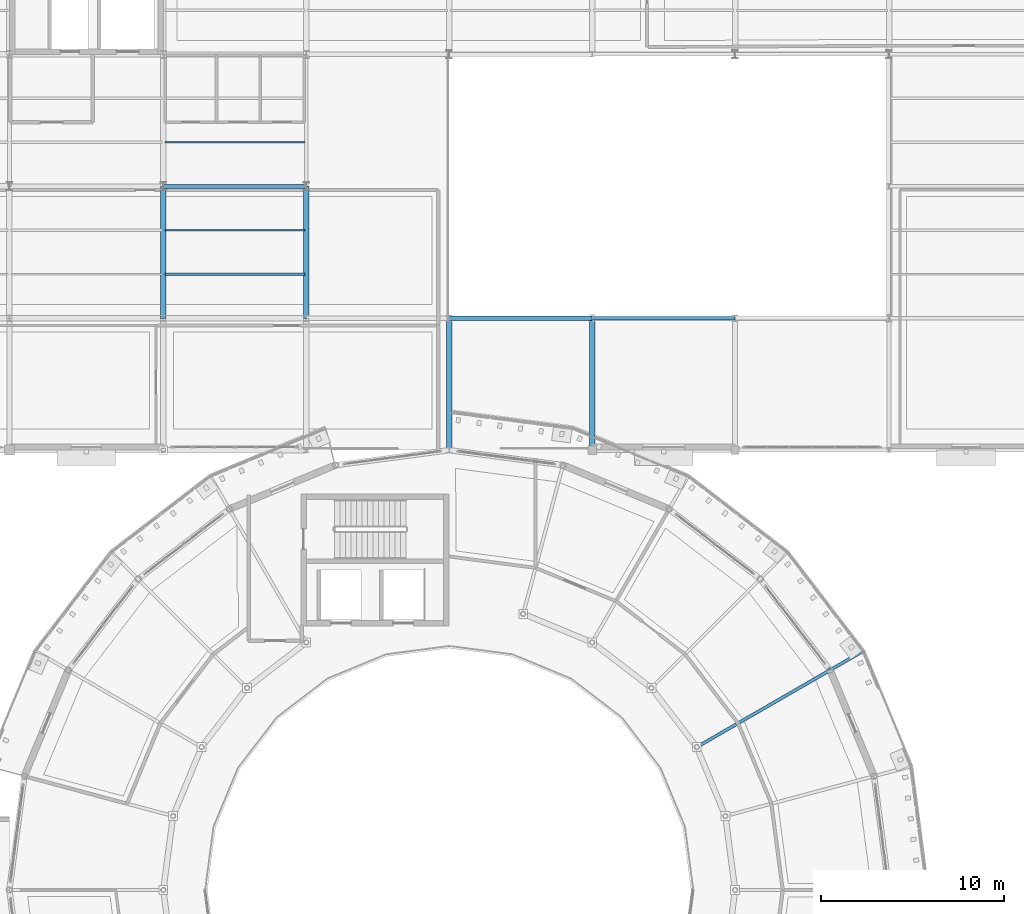
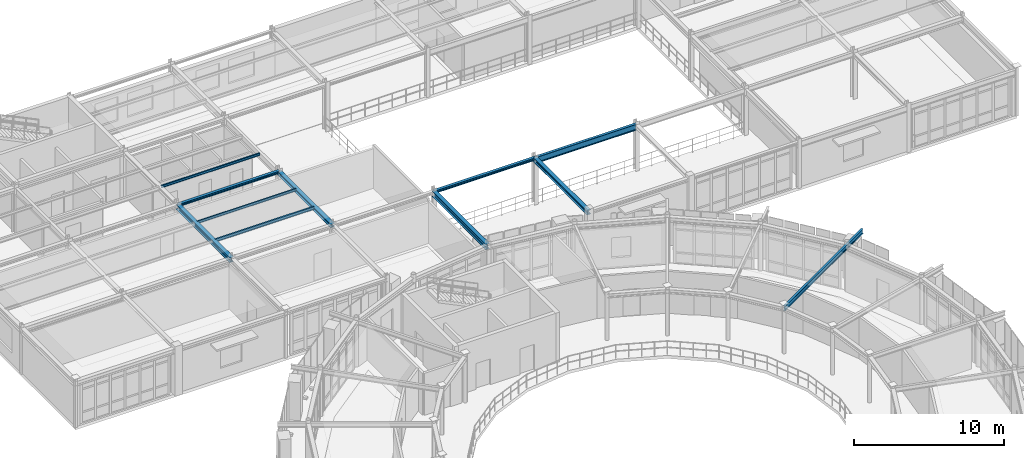
# One storey, part 36 of 70: 11 beams.
"""IFC4 building model written with IfcOpenShell, lengths in metres."""

from ifc_helpers import new_model, si_unit, derived_unit, direction, frame, origin, origin_2d, place, context, subcontext, project, spatial, i_section, extrude, material, material_profile, profile_set, type_object, element, save


model = new_model("IFC4")

# Units and contexts
model_context = context("Model", 3, precision=1e-05, world=origin(), true_north=direction((0.0, 1.0)))
body_context = subcontext(model_context, "Body", "Model", "MODEL_VIEW")
ifc_project = project(units=[si_unit("LENGTHUNIT", "METRE"), si_unit("AREAUNIT", "SQUARE_METRE"), si_unit("VOLUMEUNIT", "CUBIC_METRE"), si_unit("PLANEANGLEUNIT", "RADIAN"), si_unit("MASSUNIT", "GRAM", prefix="KILO"), derived_unit("THERMALTRANSMITTANCEUNIT", [(si_unit("POWERUNIT", "WATT"), 1), (si_unit("AREAUNIT", "SQUARE_METRE"), -1), (si_unit("THERMODYNAMICTEMPERATUREUNIT", "KELVIN"), -1)])], contexts=[model_context])

# Site, building, storey
site_placement = place(None, origin())
site = spatial("IfcSite", under=ifc_project, at=site_placement, CompositionType="ELEMENT")
building_placement = place(site_placement, origin())
building = spatial("IfcBuilding", under=site, at=building_placement, Name="Yasenodar Specialist Clinic", CompositionType="ELEMENT")
storey_placement = place(building_placement, frame((0.0, 0.0, 13.199951171875)))
storey = spatial("IfcBuildingStorey", under=building, at=storey_placement, Name="L03", CompositionType="ELEMENT", Elevation=13.199951171875)

# Beams
ifc_material = material(Name="Steel S355", Category="steel")
ifc_material_profile_1 = material_profile(ifc_material, i_section(OverallWidth=0.219970703125, OverallDepth=0.2099609375, WebThickness=0.007080078125, FlangeThickness=0.010986328125, FilletRadius=0.01806640625, at=origin_2d()), Name="HEA 220")
ifc_profile_set_1 = profile_set([ifc_material_profile_1], Name="Steel S355")
beam_type_1 = type_object("IfcBeamType", Name="BM-HEA220", PredefinedType="BEAM", material=ifc_profile_set_1)
for number, where, z_axis, x_axis, name in (
    (1, (81.0, 90.0, 3.68505859375), (1.0, 0.0, 0.0), (0.0, 1.0, 0.0), "L03 Primary E-W Girder"),
    (2, (65.39990234375, 97.199951171875, 3.695068359375), (1.0, 0.0, 0.0), (0.0, 1.0, 0.0), "L03 Primary E-W Girder"),
):
    element("IfcBeam", number, at=place(storey_placement, frame(where, z_axis=z_axis, x_axis=x_axis)), inside=storey, type_object=beam_type_1, Name=name, PredefinedType="BEAM", context=body_context, shape_type="SweptSolid", body=[
        extrude(i_section(OverallWidth=0.219970703125, OverallDepth=0.2099609375, WebThickness=0.007080078125, FlangeThickness=0.010986328125, FilletRadius=0.01806640625, at=origin_2d()), origin(), (0.0, 0.0, 1.0), 7.800048828125),
    ])
ifc_material_profile_2 = material_profile(ifc_material, i_section(OverallWidth=0.300048828125, OverallDepth=0.2900390625, WebThickness=0.008544921875, FlangeThickness=0.013916015625, FilletRadius=0.027099609375, at=origin_2d()), Name="HEA 300")
ifc_profile_set_2 = profile_set([ifc_material_profile_2], Name="Steel S355")
beam_type_2 = type_object("IfcBeamType", Name="BM-HEA300", PredefinedType="BEAM", material=ifc_profile_set_2)
beam_1_placement = place(storey_placement, frame((73.199951171875, 90.0, 3.64501953125), z_axis=(0.0, 1.0, 0.0), x_axis=(-1.0, 0.0, 0.0)))
element("IfcBeam", 3, at=beam_1_placement, inside=storey, type_object=beam_type_2, Name="L03 Primary N-S Girder", PredefinedType="BEAM", context=body_context, shape_type="SweptSolid", body=[
    extrude(i_section(OverallWidth=0.300048828125, OverallDepth=0.2900390625, WebThickness=0.008544921875, FlangeThickness=0.013916015625, FilletRadius=0.027099609375, at=origin_2d()), origin(), (0.0, 0.0, 1.0), 7.199951171875),
])
ifc_material_profile_3 = material_profile(ifc_material, i_section(OverallWidth=0.300048828125, OverallDepth=0.340087890625, WebThickness=0.011962890625, FlangeThickness=0.021484375, FilletRadius=0.027099609375, at=origin_2d()), Name="HEB 340")
ifc_profile_set_3 = profile_set([ifc_material_profile_3], Name="Steel S355")
beam_type_3 = type_object("IfcBeamType", Name="BM-HEB340", PredefinedType="BEAM", material=ifc_profile_set_3)
beam_2_placement = place(storey_placement, frame((88.800048828125, 82.800048828125, 3.6201171875), z_axis=(0.0, 1.0, 0.0), x_axis=(-1.0, 0.0, 0.0)))
element("IfcBeam", 4, at=beam_2_placement, inside=storey, type_object=beam_type_3, Name="L03 Primary N-S Girder", PredefinedType="BEAM", context=body_context, shape_type="SweptSolid", body=[
    extrude(i_section(OverallWidth=0.300048828125, OverallDepth=0.340087890625, WebThickness=0.011962890625, FlangeThickness=0.021484375, FilletRadius=0.027099609375, at=origin_2d()), origin(), (0.0, 0.0, 1.0), 7.199951171875),
])
ifc_material_profile_4 = material_profile(ifc_material, i_section(OverallWidth=0.300048828125, OverallDepth=0.39990234375, WebThickness=0.013427734375, FlangeThickness=0.02392578125, FilletRadius=0.027099609375, at=origin_2d()), Name="HEB 400")
ifc_profile_set_4 = profile_set([ifc_material_profile_4], Name="Steel S355")
beam_type_4 = type_object("IfcBeamType", Name="BM-HEB400", PredefinedType="BEAM", material=ifc_profile_set_4)
beam_3_placement = place(storey_placement, frame((65.39990234375, 90.0, 3.590087890625), z_axis=(0.0, 1.0, 0.0), x_axis=(-1.0, 0.0, 0.0)))
element("IfcBeam", 5, at=beam_3_placement, inside=storey, type_object=beam_type_4, Name="L03 Primary N-S Girder", PredefinedType="BEAM", context=body_context, shape_type="SweptSolid", body=[
    extrude(i_section(OverallWidth=0.300048828125, OverallDepth=0.39990234375, WebThickness=0.013427734375, FlangeThickness=0.02392578125, FilletRadius=0.027099609375, at=origin_2d()), origin(), (0.0, 0.0, 1.0), 7.199951171875),
])
ifc_material_profile_5 = material_profile(ifc_material, i_section(OverallWidth=0.300048828125, OverallDepth=0.449951171875, WebThickness=0.013916015625, FlangeThickness=0.02587890625, FilletRadius=0.027099609375, at=origin_2d()), Name="HEB 450")
ifc_profile_set_5 = profile_set([ifc_material_profile_5], Name="Steel S355")
beam_type_5 = type_object("IfcBeamType", Name="BM-HEB450", PredefinedType="BEAM", material=ifc_profile_set_5)
beam_4_placement = place(storey_placement, frame((81.0, 82.800048828125, 3.56494140625), z_axis=(0.0, 1.0, 0.0), x_axis=(-1.0, 0.0, 0.0)))
element("IfcBeam", 6, at=beam_4_placement, inside=storey, type_object=beam_type_5, Name="L03 Primary N-S Girder", PredefinedType="BEAM", context=body_context, shape_type="SweptSolid", body=[
    extrude(i_section(OverallWidth=0.300048828125, OverallDepth=0.449951171875, WebThickness=0.013916015625, FlangeThickness=0.02587890625, FilletRadius=0.027099609375, at=origin_2d()), origin(), (0.0, 0.0, 1.0), 7.199951171875),
])
ifc_material_profile_6 = material_profile(ifc_material, i_section(OverallWidth=0.169921875, OverallDepth=0.360107421875, WebThickness=0.008056640625, FlangeThickness=0.0126953125, FilletRadius=0.01806640625, at=origin_2d()), Name="IPE 360")
ifc_profile_set_6 = profile_set([ifc_material_profile_6], Name="Steel S355")
beam_type_6 = type_object("IfcBeamType", Name="BM-IPE360", PredefinedType="BEAM", material=ifc_profile_set_6)
beam_5_placement = place(storey_placement, frame((94.510009765625, 66.60009765625, 3.6201171875), z_axis=(0.866033467715, 0.499986032603, 0.0), x_axis=(-0.499986032603, 0.866033467715, 0.0)))
element("IfcBeam", 7, at=beam_5_placement, inside=storey, type_object=beam_type_6, Name="L03 Drum V1 Radial Back-Spanned Cantilever Beam", PredefinedType="BEAM", context=body_context, shape_type="SweptSolid", body=[
    extrude(i_section(OverallWidth=0.169921875, OverallDepth=0.360107421875, WebThickness=0.008056640625, FlangeThickness=0.0126953125, FilletRadius=0.01806640625, at=origin_2d()), origin(), (0.0, 0.0, 1.0), 10.449951171875),
])
ifc_material_profile_7 = material_profile(ifc_material, i_section(OverallWidth=0.199951171875, OverallDepth=0.5, WebThickness=0.01025390625, FlangeThickness=0.01611328125, FilletRadius=0.02099609375, at=origin_2d()), Name="IPE 500")
ifc_profile_set_7 = profile_set([ifc_material_profile_7], Name="Steel S355")
beam_type_7 = type_object("IfcBeamType", Name="BM-IPE500", PredefinedType="BEAM", material=ifc_profile_set_7)
beam_6_placement = place(storey_placement, frame((88.800048828125, 90.0, 3.5400390625), z_axis=(1.0, 0.0, 0.0), x_axis=(0.0, 1.0, 0.0)))
element("IfcBeam", 8, at=beam_6_placement, inside=storey, type_object=beam_type_7, Name="L03 Primary E-W Girder", PredefinedType="BEAM", context=body_context, shape_type="SweptSolid", body=[
    extrude(i_section(OverallWidth=0.199951171875, OverallDepth=0.5, WebThickness=0.01025390625, FlangeThickness=0.01611328125, FilletRadius=0.02099609375, at=origin_2d()), origin(), (0.0, 0.0, 1.0), 7.800048828125),
])
ifc_material_profile_8 = material_profile(ifc_material, i_section(OverallWidth=0.10009765625, OverallDepth=0.199951171875, WebThickness=0.005615234375, FlangeThickness=0.008544921875, FilletRadius=0.011962890625, at=origin_2d()), Name="IPE 200")
ifc_profile_set_8 = profile_set([ifc_material_profile_8], Name="Steel S355")
beam_type_8 = type_object("IfcBeamType", Name="JS-IPE200", PredefinedType="JOIST", material=ifc_profile_set_8)
for number, where, z_axis, x_axis, name in (
    (9, (65.47998046875, 94.800048828125, 3.699951171875), (1.0, 0.0, 0.0), (0.0, 1.0, 0.0), "L03 Composite Floor Joist"),
    (10, (65.47998046875, 99.60009765625, 3.699951171875), (1.0, 0.0, 0.0), (0.0, 1.0, 0.0), "L03 Composite Floor Joist"),
):
    element("IfcBeam", number, at=place(storey_placement, frame(where, z_axis=z_axis, x_axis=x_axis)), inside=storey, type_object=beam_type_8, Name=name, PredefinedType="JOIST", context=body_context, shape_type="SweptSolid", body=[
        extrude(i_section(OverallWidth=0.10009765625, OverallDepth=0.199951171875, WebThickness=0.005615234375, FlangeThickness=0.008544921875, FilletRadius=0.011962890625, at=origin_2d()), origin(), (0.0, 0.0, 1.0), 7.64013671875),
    ])
ifc_material_profile_9 = material_profile(ifc_material, i_section(OverallWidth=0.1201171875, OverallDepth=0.239990234375, WebThickness=0.006103515625, FlangeThickness=0.009765625, FilletRadius=0.014892578125, at=origin_2d()), Name="IPE 240")
ifc_profile_set_9 = profile_set([ifc_material_profile_9], Name="Steel S355")
beam_type_9 = type_object("IfcBeamType", Name="JS-IPE240", PredefinedType="JOIST", material=ifc_profile_set_9)
beam_7_placement = place(storey_placement, frame((65.47998046875, 92.39990234375, 3.679931640625), z_axis=(1.0, 0.0, 0.0), x_axis=(0.0, 1.0, 0.0)))
element("IfcBeam", 11, at=beam_7_placement, inside=storey, type_object=beam_type_9, Name="L03 Composite Floor Joist", PredefinedType="JOIST", context=body_context, shape_type="SweptSolid", body=[
    extrude(i_section(OverallWidth=0.1201171875, OverallDepth=0.239990234375, WebThickness=0.006103515625, FlangeThickness=0.009765625, FilletRadius=0.014892578125, at=origin_2d()), origin(), (0.0, 0.0, 1.0), 7.64013671875),
])

save(model, "model.ifc")
